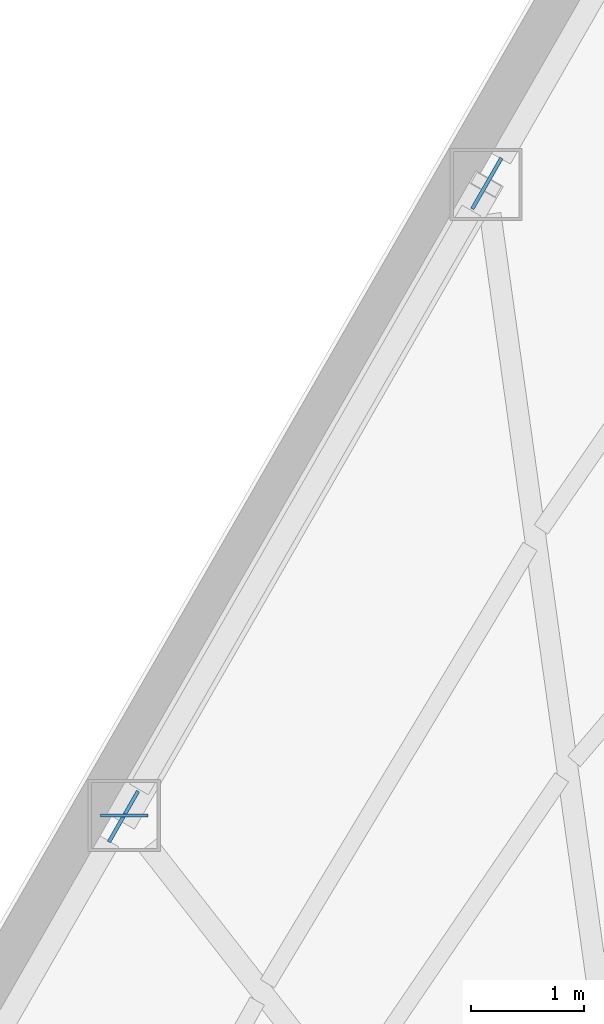
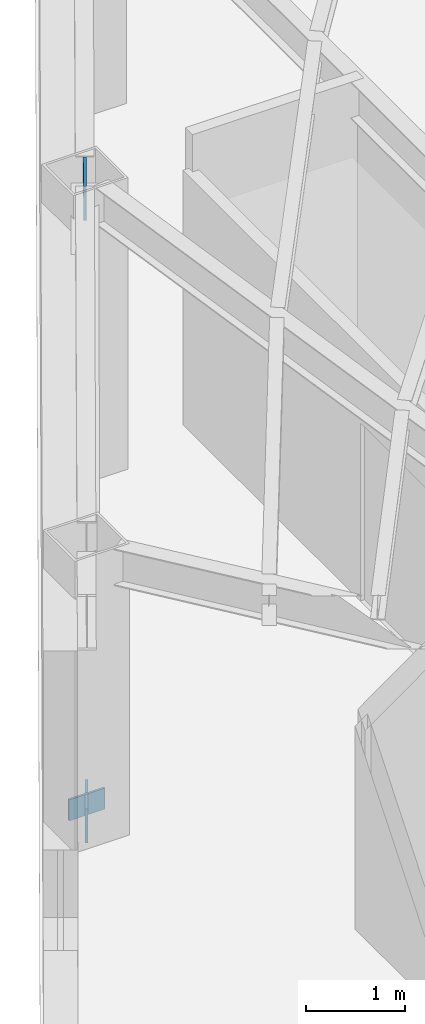
# One storey, part 5 of 12: 3 plates.
"""IFC4 building model written with IfcOpenShell, lengths in metres."""

from ifc_helpers import new_model, si_unit, direction, frame, origin, origin_2d, place, context, subcontext, project, spatial, rectangle, extrude, material, layer, layer_set, type_object, element, save


model = new_model("IFC4")

# Units and contexts
model_context = context("Model", 3, precision=1e-05, world=origin(), true_north=direction((0.0, 1.0)))
body_context = subcontext(model_context, "Body", "Model", "MODEL_VIEW")
ifc_project = project(units=[si_unit("LENGTHUNIT", "METRE"), si_unit("AREAUNIT", "SQUARE_METRE"), si_unit("VOLUMEUNIT", "CUBIC_METRE"), si_unit("PLANEANGLEUNIT", "RADIAN"), si_unit("MASSUNIT", "GRAM", prefix="KILO")], contexts=[model_context])

# Site, building, storey
site_placement = place(None, origin())
site = spatial("IfcSite", under=ifc_project, at=site_placement, CompositionType="ELEMENT")
building_placement = place(site_placement, origin())
building = spatial("IfcBuilding", under=site, at=building_placement, Name="Kavelnor Concourse Tower", CompositionType="ELEMENT")
storey_placement = place(building_placement, frame((0.0, 0.0, 226.60009765625)))
storey = spatial("IfcBuildingStorey", under=building, at=storey_placement, Name="L57", CompositionType="ELEMENT", Elevation=226.60009765625)

# Plates
ifc_material = material(Name="Steel Grade 350", Category="steel")
ifc_layer_1 = layer(ifc_material, 0.031982421875, Name="Steel Grade 350")
ifc_layer_set_1 = layer_set([ifc_layer_1], Name="Steel Grade 350")
plate_type_1 = type_object("IfcPlateType", Name="PL-GUSSET-TUBE-Z1", PredefinedType="USERDEFINED", material=ifc_layer_set_1)
for number, where, z_axis, x_axis, name in (
    (1, (24.519775390625, 27.91259765625, 0.010009765625), (0.0, 0.0, 1.0), (0.497731039913, 0.867331431408, 0.0), "L57 Tube Brace Gusset GP3 F0-B2 End Gusset A"),
    (2, (27.7421875, 33.527099609375, 3.159912109375), (0.0, 0.0, 1.0), (0.497731039913, 0.867331431408, 0.0), "L57 Tube Brace Gusset GP3 F0-B2 End Gusset B"),
):
    element("IfcPlate", number, at=place(storey_placement, frame(where, z_axis=z_axis, x_axis=x_axis)), inside=storey, type_object=plate_type_1, Name=name, ObjectType="GUSSET_PLATE", PredefinedType="USERDEFINED", context=body_context, shape_type="SweptSolid", body=[
        extrude(rectangle(XDim=0.52001953125, YDim=0.031982421875, at=origin_2d()), origin(), (0.0, 0.0, 1.0), 0.419921875),
    ])
ifc_layer_2 = layer(ifc_material, 0.02490234375, Name="Steel Grade 350")
ifc_layer_set_2 = layer_set([ifc_layer_2], Name="Steel Grade 350")
plate_type_2 = type_object("IfcPlateType", Name="PL-SPLICE-FLANGE", PredefinedType="SHEET", material=ifc_layer_set_2)
plate_placement = place(storey_placement, frame((24.525634765625, 27.923095703125, 0.169921875), z_axis=(0.0, 0.0, 1.0), x_axis=(1.0, 0.0, 0.0)))
element("IfcPlate", 3, at=plate_placement, inside=storey, type_object=plate_type_2, Name="L57 Column Flange Splice Plate F0-B3", PredefinedType="SHEET", context=body_context, shape_type="SweptSolid", body=[
    extrude(rectangle(XDim=0.419921875, YDim=0.02490234375, at=origin_2d()), origin(), (0.0, 0.0, 1.0), 0.260009765625),
])

save(model, "model.ifc")
